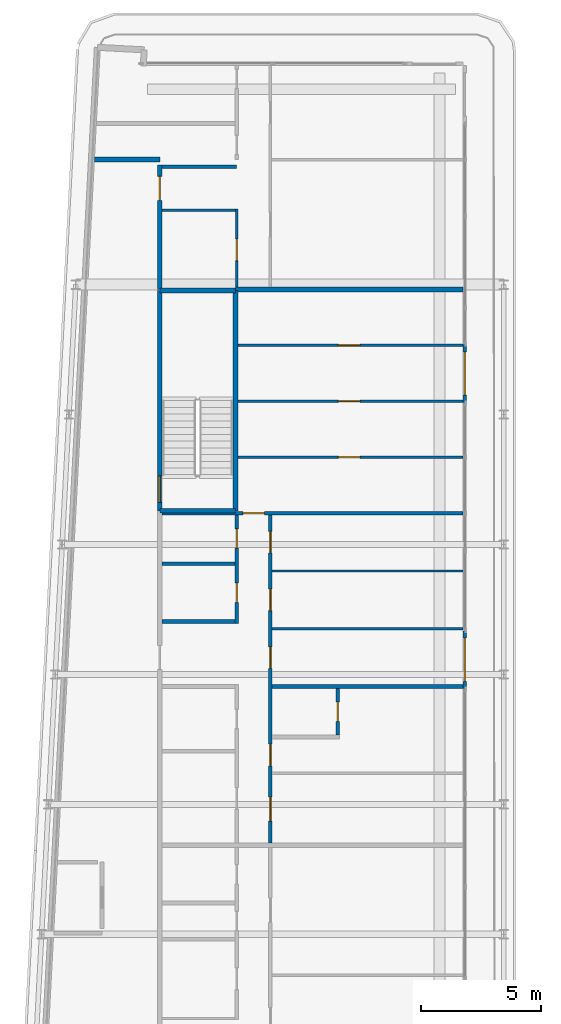
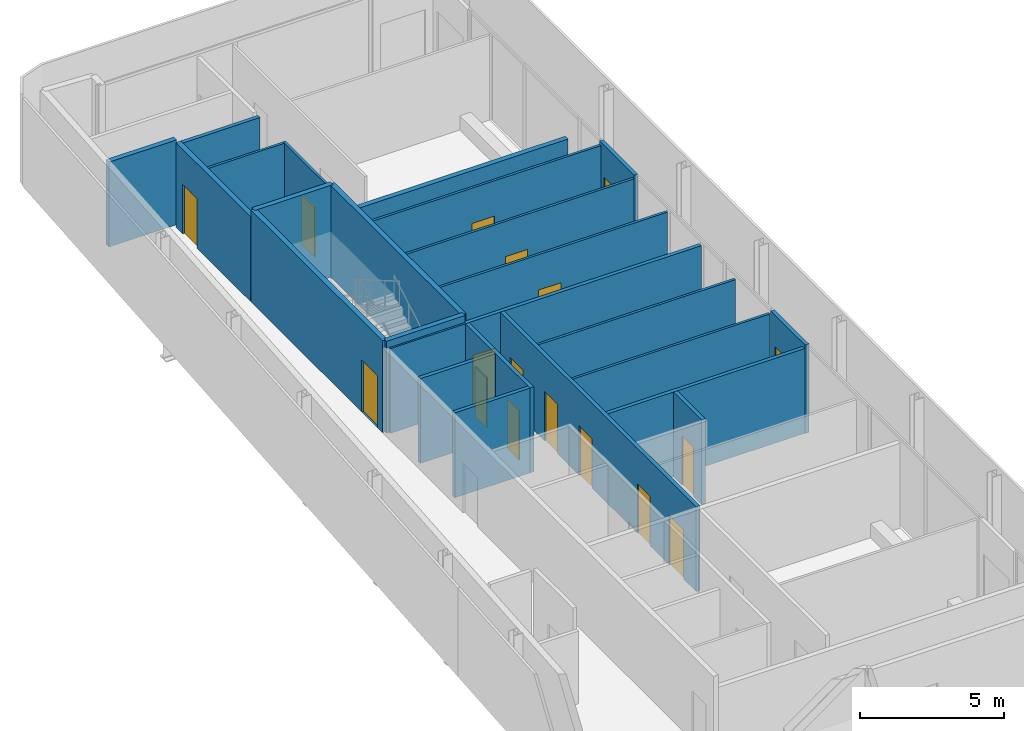
# One storey, part 11 of 18: 24 walls, 17 doors, 17 openings.
"""IFC4 building model written with IfcOpenShell, lengths in metres."""

from ifc_helpers import new_model, si_unit, direction, frame, frame_2d, origin, place, context, subcontext, project, spatial, rectangle, extrude, source, transform, mapped, material, layer, layer_set, type_object, element, fill, save


model = new_model("IFC4")

# Units and contexts
model_context = context("Model", 3, precision=1e-05, world=origin(), true_north=direction((0.0, 1.0)))
body_context = subcontext(model_context, "Body", "Model", "MODEL_VIEW")
ifc_project = project(units=[si_unit("LENGTHUNIT", "METRE"), si_unit("AREAUNIT", "SQUARE_METRE"), si_unit("VOLUMEUNIT", "CUBIC_METRE"), si_unit("PLANEANGLEUNIT", "RADIAN"), si_unit("MASSUNIT", "GRAM", prefix="KILO")], contexts=[model_context])

# Site, building, storey
site_placement = place(None, origin())
site = spatial("IfcSite", under=ifc_project, at=site_placement, CompositionType="ELEMENT")
building_placement = place(site_placement, origin())
building = spatial("IfcBuilding", under=site, at=building_placement, Name="Kheshtan School and Residences Tower", CompositionType="ELEMENT")
storey_placement = place(building_placement, frame((0.0, 0.0, 365.60009765625)))
storey = spatial("IfcBuildingStorey", under=building, at=storey_placement, Name="L86", CompositionType="ELEMENT", Elevation=365.60009765625)

# Wall
ifc_material_1 = material(Name="Gypsum board on steel studs with fire boards", Category="steel")
ifc_layer_1 = layer(ifc_material_1, 0.199951171875)
ifc_layer_set_1 = layer_set([ifc_layer_1], Name="Corridor wall 200")
wall_type_1 = type_object("IfcWallType", Name="Corridor wall 200", PredefinedType="PARTITIONING", material=ifc_layer_set_1)
wall_1_placement = place(storey_placement, frame((30.584716796875, 94.0, 0.0), z_axis=(0.0, 0.0, 1.0), x_axis=(1.0, 0.0, 0.0)))
element("IfcWall", 1, at=wall_1_placement, inside=storey, type_object=wall_type_1, Name="Partition L86-002", PredefinedType="PARTITIONING", context=body_context, shape_type="SweptSolid", body=[
    extrude(rectangle(XDim=2.71533203125, YDim=0.199951171875, at=frame_2d((1.357666015625, 0.0))), origin(), (0.0, 0.0, 1.0), 3.599853515625),
])

# Wall, opening, door
wall_2_placement = place(storey_placement, frame((33.300048828125, 88.60009765625, 0.0), z_axis=(0.0, 0.0, 1.0), x_axis=(0.0, 1.0, 0.0)))
wall_2 = element("IfcWall", 2, at=wall_2_placement, inside=storey, type_object=wall_type_1, Name="Partition L86-004", PredefinedType="PARTITIONING", context=body_context, shape_type="SweptSolid", body=[
    extrude(rectangle(XDim=5.1748046875, YDim=0.199951171875, at=frame_2d((2.58740234375, 0.0))), origin(), (0.0, 0.0, 1.0), 3.599853515625),
])
opening_1_placement = place(wall_2_placement, frame((3.699951171875, 0.0, 0.0)))
opening_1 = element("IfcOpeningElement", 3, at=opening_1_placement, cuts=wall_2, Name="Opening D85-024", PredefinedType="OPENING", context=body_context, shape_type="SweptSolid", body=[
    extrude(rectangle(XDim=1.0, YDim=2.10009765625, at=frame_2d((0.5, 1.050048828125))), frame((0.0, 0.10986328125, 0.0), z_axis=(0.0, -1.0, 0.0), x_axis=(1.0, 0.0, 0.0)), (0.0, 0.0, 1.0), 0.219970703125),
])
ifc_material_2 = material(Name="Steel-framed fire-resisting door leaf", Category="steel")
door_type_1 = type_object("IfcDoorType", Name="Fire door FD30S 1000 x 2100", OperationType="SINGLE_SWING_LEFT", PredefinedType="DOOR", material=ifc_material_2)
shared_shape_1 = source(origin(), body_context, "Body", "SweptSolid", [
    extrude(rectangle(XDim=1.0, YDim=2.10009765625, at=frame_2d((0.5, 1.050048828125))), frame((0.0, 0.02490234375, 0.0), z_axis=(0.0, -1.0, 0.0), x_axis=(1.0, 0.0, 0.0)), (0.0, 0.0, 1.0), 0.050048828125),
])
door_1_placement = place(opening_1_placement, origin())
door_1 = element("IfcDoor", 4, at=door_1_placement, inside=storey, type_object=door_type_1, Name="Door D85-024", OperationType="SINGLE_SWING_RIGHT", OverallHeight=2.10009765625, OverallWidth=1.0, PredefinedType="DOOR", context=body_context, shape_type="MappedRepresentation", body=[
    mapped(shared_shape_1, transform((0.0, 0.0, 0.0), x_axis=(1.0, 0.0, 0.0), y_axis=(0.0, 1.0, 0.0), z_axis=(0.0, 0.0, 1.0), scale=1.0)),
])
fill(opening_1, door_1)

ifc_material_3 = material(Name="Aluminium frame wall with insulated infill", Category="aluminium")
ifc_layer_2 = layer(ifc_material_3, 0.14990234375)
ifc_layer_set_2 = layer_set([ifc_layer_2], Name="Glazing frame wall 150")
wall_type_2 = type_object("IfcWallType", Name="Glazing frame wall 150", PredefinedType="SOLIDWALL", material=ifc_layer_set_2)
wall_3_placement = place(storey_placement, frame((45.97509765625, 86.305908203125, 0.0), z_axis=(0.0, 0.0, 1.0), x_axis=(0.0, -1.0, 0.0)))
wall_3 = element("IfcWall", 5, at=wall_3_placement, inside=storey, type_object=wall_type_2, Name="Balcony door wall L86 8.2", PredefinedType="SOLIDWALL", context=body_context, shape_type="SweptSolid", body=[
    extrude(rectangle(XDim=2.39990234375, YDim=0.14990234375, at=frame_2d((1.199951171875, 0.0))), origin(), (0.0, 0.0, 1.0), 3.75),
])
opening_2_placement = place(wall_3_placement, frame((0.300048828125, 0.0, 0.0)))
opening_2 = element("IfcOpeningElement", 6, at=opening_2_placement, cuts=wall_3, Name="Opening BD", PredefinedType="OPENING", context=body_context, shape_type="SweptSolid", body=[
    extrude(rectangle(XDim=1.800048828125, YDim=2.39990234375, at=frame_2d((0.89990234375, 1.199951171875))), frame((0.0, 0.0849609375, 0.0), z_axis=(0.0, -1.0, 0.0), x_axis=(1.0, 0.0, 0.0)), (0.0, 0.0, 1.0), 0.169921875),
])
ifc_material_4 = material(Name="Clear low-e glass in thermally broken aluminium frame", Category="aluminium")
door_type_2 = type_object("IfcDoorType", Name="Balcony sliding door", OperationType="SLIDING_TO_LEFT", PredefinedType="DOOR", material=ifc_material_4)
shared_shape_2 = source(origin(), body_context, "Body", "SweptSolid", [
    extrude(rectangle(XDim=1.800048828125, YDim=2.39990234375, at=frame_2d((0.89990234375, 1.199951171875))), frame((0.0, 0.02490234375, 0.0), z_axis=(0.0, -1.0, 0.0), x_axis=(1.0, 0.0, 0.0)), (0.0, 0.0, 1.0), 0.050048828125),
])
door_2_placement = place(opening_2_placement, origin())
door_2 = element("IfcDoor", 7, at=door_2_placement, inside=storey, type_object=door_type_2, Name="Balcony door L86 8.2", OperationType="SLIDING_TO_LEFT", OverallHeight=2.39990234375, OverallWidth=1.800048828125, PredefinedType="DOOR", context=body_context, shape_type="MappedRepresentation", body=[
    mapped(shared_shape_2, transform((0.0, 0.0, 0.0), x_axis=(1.0, 0.0, 0.0), y_axis=(0.0, 1.0, 0.0), z_axis=(0.0, 0.0, 1.0), scale=1.0)),
])
fill(opening_2, door_2)

wall_4_placement = place(storey_placement, frame((45.97509765625, 74.412109375, 0.0), z_axis=(0.0, 0.0, 1.0), x_axis=(0.0, -1.0, 0.0)))
wall_4 = element("IfcWall", 8, at=wall_4_placement, inside=storey, type_object=wall_type_2, Name="Balcony door wall L86 8.3", PredefinedType="SOLIDWALL", context=body_context, shape_type="SweptSolid", body=[
    extrude(rectangle(XDim=2.400146484375, YDim=0.14990234375, at=frame_2d((1.2001953125, 0.0))), origin(), (0.0, 0.0, 1.0), 3.75),
])
opening_3_placement = place(wall_4_placement, frame((0.300048828125, 0.0, 0.0)))
opening_3 = element("IfcOpeningElement", 9, at=opening_3_placement, cuts=wall_4, Name="Opening BD", PredefinedType="OPENING", context=body_context, shape_type="SweptSolid", body=[
    extrude(rectangle(XDim=1.800048828125, YDim=2.39990234375, at=frame_2d((0.89990234375, 1.199951171875))), frame((0.0, 0.0849609375, 0.0), z_axis=(0.0, -1.0, 0.0), x_axis=(1.0, 0.0, 0.0)), (0.0, 0.0, 1.0), 0.169921875),
])
door_3_placement = place(opening_3_placement, origin())
door_3 = element("IfcDoor", 10, at=door_3_placement, inside=storey, type_object=door_type_2, Name="Balcony door L86 8.3", OperationType="SLIDING_TO_LEFT", OverallHeight=2.39990234375, OverallWidth=1.800048828125, PredefinedType="DOOR", context=body_context, shape_type="MappedRepresentation", body=[
    mapped(shared_shape_2, transform((0.0, 0.0, 0.0), x_axis=(1.0, 0.0, 0.0), y_axis=(0.0, 1.0, 0.0), z_axis=(0.0, 0.0, 1.0), scale=1.0)),
])
fill(opening_3, door_3)

# Wall
ifc_material_5 = material(Name="Gypsum board on steel studs", Category="steel")
ifc_layer_3 = layer(ifc_material_5, 0.10009765625)
ifc_layer_set_3 = layer_set([ifc_layer_3], Name="Gypsum partition 100")
wall_type_3 = type_object("IfcWallType", Name="Gypsum partition 100", PredefinedType="PARTITIONING", material=ifc_layer_set_3)
wall_5_placement = place(storey_placement, frame((33.39990234375, 91.89990234375, 0.0), z_axis=(0.0, 0.0, 1.0), x_axis=(1.0, 0.0, 0.0)))
element("IfcWall", 11, at=wall_5_placement, inside=storey, type_object=wall_type_3, Name="Partition L86-015", PredefinedType="PARTITIONING", context=body_context, shape_type="SweptSolid", body=[
    extrude(rectangle(XDim=3.050048828125, YDim=0.10009765625, at=frame_2d((1.52490234375, 0.0))), origin(), (0.0, 0.0, 1.0), 3.599853515625),
])

# Wall, opening, door
wall_6_placement = place(storey_placement, frame((36.5, 88.699951171875, 0.0), z_axis=(0.0, 0.0, 1.0), x_axis=(0.0, 1.0, 0.0)))
wall_6 = element("IfcWall", 12, at=wall_6_placement, inside=storey, type_object=wall_type_3, Name="Partition L86-022", PredefinedType="PARTITIONING", context=body_context, shape_type="SweptSolid", body=[
    extrude(rectangle(XDim=3.25, YDim=0.10009765625, at=frame_2d((1.625, 0.0))), origin(), (0.0, 0.0, 1.0), 3.599853515625),
])
opening_4_placement = place(wall_6_placement, frame((1.10009765625, 0.0, 0.0)))
opening_4 = element("IfcOpeningElement", 13, at=opening_4_placement, cuts=wall_6, Name="Opening D85-025", PredefinedType="OPENING", context=body_context, shape_type="SweptSolid", body=[
    extrude(rectangle(XDim=0.89990234375, YDim=2.10009765625, at=frame_2d((0.449951171875, 1.050048828125))), frame((0.0, 0.06005859375, 0.0), z_axis=(0.0, -1.0, 0.0), x_axis=(1.0, 0.0, 0.0)), (0.0, 0.0, 1.0), 0.1201171875),
])
ifc_material_6 = material(Name="Veneered timber door leaf", Category="wood")
door_type_3 = type_object("IfcDoorType", Name="Door 900 x 2100", OperationType="SINGLE_SWING_LEFT", PredefinedType="DOOR", material=ifc_material_6)
shared_shape_3 = source(origin(), body_context, "Body", "SweptSolid", [
    extrude(rectangle(XDim=0.89990234375, YDim=2.10009765625, at=frame_2d((0.449951171875, 1.050048828125))), frame((0.0, 0.02490234375, 0.0), z_axis=(0.0, -1.0, 0.0), x_axis=(1.0, 0.0, 0.0)), (0.0, 0.0, 1.0), 0.050048828125),
])
door_4_placement = place(opening_4_placement, origin())
door_4 = element("IfcDoor", 14, at=door_4_placement, inside=storey, type_object=door_type_3, Name="Door D85-025", OperationType="SINGLE_SWING_LEFT", OverallHeight=2.10009765625, OverallWidth=0.89990234375, PredefinedType="DOOR", context=body_context, shape_type="MappedRepresentation", body=[
    mapped(shared_shape_3, transform((0.0, 0.0, 0.0), x_axis=(1.0, 0.0, 0.0), y_axis=(0.0, 1.0, 0.0), z_axis=(0.0, 0.0, 1.0), scale=1.0)),
])
fill(opening_4, door_4)

wall_7_placement = place(storey_placement, frame((36.549072265625, 81.625, 0.0), z_axis=(0.0, 0.0, 1.0), x_axis=(1.0, 0.0, 0.0)))
wall_7 = element("IfcWall", 15, at=wall_7_placement, inside=storey, type_object=wall_type_3, Name="Partition L86-024", PredefinedType="PARTITIONING", context=body_context, shape_type="SweptSolid", body=[
    extrude(rectangle(XDim=9.350830078125, YDim=0.10009765625, at=frame_2d((4.67529296875, 0.0))), origin(), (0.0, 0.0, 1.0), 3.599853515625),
])
opening_5_placement = place(wall_7_placement, frame((4.176025390625, 0.0, 0.0)))
opening_5 = element("IfcOpeningElement", 16, at=opening_5_placement, cuts=wall_7, Name="Opening D85-019", PredefinedType="OPENING", context=body_context, shape_type="SweptSolid", body=[
    extrude(rectangle(XDim=0.89990234375, YDim=2.10009765625, at=frame_2d((0.449951171875, 1.050048828125))), frame((0.0, 0.06005859375, 0.0), z_axis=(0.0, -1.0, 0.0), x_axis=(1.0, 0.0, 0.0)), (0.0, 0.0, 1.0), 0.1201171875),
])
door_5_placement = place(opening_5_placement, origin())
door_5 = element("IfcDoor", 17, at=door_5_placement, inside=storey, type_object=door_type_3, Name="Door D85-019", OperationType="SINGLE_SWING_RIGHT", OverallHeight=2.10009765625, OverallWidth=0.89990234375, PredefinedType="DOOR", context=body_context, shape_type="MappedRepresentation", body=[
    mapped(shared_shape_3, transform((0.0, 0.0, 0.0), x_axis=(1.0, 0.0, 0.0), y_axis=(0.0, 1.0, 0.0), z_axis=(0.0, 0.0, 1.0), scale=1.0)),
])
fill(opening_5, door_5)

wall_8_placement = place(storey_placement, frame((36.549072265625, 83.949951171875, 0.0), z_axis=(0.0, 0.0, 1.0), x_axis=(1.0, 0.0, 0.0)))
wall_8 = element("IfcWall", 18, at=wall_8_placement, inside=storey, type_object=wall_type_3, Name="Partition L86-025", PredefinedType="PARTITIONING", context=body_context, shape_type="SweptSolid", body=[
    extrude(rectangle(XDim=9.350830078125, YDim=0.10009765625, at=frame_2d((4.67529296875, 0.0))), origin(), (0.0, 0.0, 1.0), 3.599853515625),
])
opening_6_placement = place(wall_8_placement, frame((4.176025390625, 0.0, 0.0)))
opening_6 = element("IfcOpeningElement", 19, at=opening_6_placement, cuts=wall_8, Name="Opening D85-020", PredefinedType="OPENING", context=body_context, shape_type="SweptSolid", body=[
    extrude(rectangle(XDim=0.89990234375, YDim=2.10009765625, at=frame_2d((0.449951171875, 1.050048828125))), frame((0.0, 0.06005859375, 0.0), z_axis=(0.0, -1.0, 0.0), x_axis=(1.0, 0.0, 0.0)), (0.0, 0.0, 1.0), 0.1201171875),
])
door_6_placement = place(opening_6_placement, origin())
door_6 = element("IfcDoor", 20, at=door_6_placement, inside=storey, type_object=door_type_3, Name="Door D85-020", OperationType="SINGLE_SWING_RIGHT", OverallHeight=2.10009765625, OverallWidth=0.89990234375, PredefinedType="DOOR", context=body_context, shape_type="MappedRepresentation", body=[
    mapped(shared_shape_3, transform((0.0, 0.0, 0.0), x_axis=(1.0, 0.0, 0.0), y_axis=(0.0, 1.0, 0.0), z_axis=(0.0, 0.0, 1.0), scale=1.0)),
])
fill(opening_6, door_6)

wall_9_placement = place(storey_placement, frame((36.549072265625, 86.27490234375, 0.0), z_axis=(0.0, 0.0, 1.0), x_axis=(1.0, 0.0, 0.0)))
wall_9 = element("IfcWall", 21, at=wall_9_placement, inside=storey, type_object=wall_type_3, Name="Partition L86-026", PredefinedType="PARTITIONING", context=body_context, shape_type="SweptSolid", body=[
    extrude(rectangle(XDim=9.350830078125, YDim=0.10009765625, at=frame_2d((4.67529296875, 0.0))), origin(), (0.0, 0.0, 1.0), 3.599853515625),
])
opening_7_placement = place(wall_9_placement, frame((4.176025390625, 0.0, 0.0)))
opening_7 = element("IfcOpeningElement", 22, at=opening_7_placement, cuts=wall_9, Name="Opening D85-021", PredefinedType="OPENING", context=body_context, shape_type="SweptSolid", body=[
    extrude(rectangle(XDim=0.89990234375, YDim=2.10009765625, at=frame_2d((0.449951171875, 1.050048828125))), frame((0.0, 0.06005859375, 0.0), z_axis=(0.0, -1.0, 0.0), x_axis=(1.0, 0.0, 0.0)), (0.0, 0.0, 1.0), 0.1201171875),
])
door_7_placement = place(opening_7_placement, origin())
door_7 = element("IfcDoor", 23, at=door_7_placement, inside=storey, type_object=door_type_3, Name="Door D85-021", OperationType="SINGLE_SWING_RIGHT", OverallHeight=2.10009765625, OverallWidth=0.89990234375, PredefinedType="DOOR", context=body_context, shape_type="MappedRepresentation", body=[
    mapped(shared_shape_3, transform((0.0, 0.0, 0.0), x_axis=(1.0, 0.0, 0.0), y_axis=(0.0, 1.0, 0.0), z_axis=(0.0, 0.0, 1.0), scale=1.0)),
])
fill(opening_7, door_7)

# Walls
for number, where, z_axis, x_axis, name in (
    (24, (37.97509765625, 74.5, 0.0), (0.0, 0.0, 1.0), (1.0, 0.0, 0.0), "Partition L86-035"),
    (25, (37.97509765625, 76.89990234375, 0.0), (0.0, 0.0, 1.0), (1.0, 0.0, 0.0), "Partition L86-036"),
):
    element("IfcWall", number, at=place(storey_placement, frame(where, z_axis=z_axis, x_axis=x_axis)), inside=storey, type_object=wall_type_3, Name=name, PredefinedType="PARTITIONING", context=body_context, shape_type="SweptSolid", body=[
        extrude(rectangle(XDim=7.9248046875, YDim=0.10009765625, at=frame_2d((3.96240234375, 0.0))), origin(), (0.0, 0.0, 1.0), 3.599853515625),
    ])
ifc_material_7 = material(Name="Concrete C40/50", Category="concrete")
ifc_layer_4 = layer(ifc_material_7, 0.199951171875)
ifc_layer_set_4 = layer_set([ifc_layer_4], Name="Stair enclosure wall 200 Concrete C40/50")
wall_type_4 = type_object("IfcWallType", Name="Stair enclosure wall 200 Concrete C40/50", PredefinedType="SHEAR", material=ifc_layer_set_4)
for number, where, z_axis, x_axis, name in (
    (26, (33.300048828125, 79.39990234375, 0.0), (0.0, 0.0, 1.0), (1.0, 0.0, 0.0), "Stair enclosure wall ST3"),
    (27, (33.300048828125, 88.56005859375, 0.0), (0.0, 0.0, 1.0), (1.0, 0.0, 0.0), "Stair enclosure wall ST3"),
):
    element("IfcWall", number, at=place(storey_placement, frame(where, z_axis=z_axis, x_axis=x_axis)), inside=storey, type_object=wall_type_4, Name=name, PredefinedType="SHEAR", context=body_context, shape_type="SweptSolid", body=[
        extrude(rectangle(XDim=3.14990234375, YDim=0.199951171875, at=frame_2d((1.574951171875, 0.0))), origin(), (0.0, 0.0, 1.0), 3.89990234375),
    ])

# Wall, opening, door
wall_10_placement = place(storey_placement, frame((33.300048828125, 79.39990234375, 0.0), z_axis=(0.0, 0.0, 1.0), x_axis=(0.0, 1.0, 0.0)))
wall_10 = element("IfcWall", 28, at=wall_10_placement, inside=storey, type_object=wall_type_4, Name="Stair enclosure wall ST3", PredefinedType="SHEAR", context=body_context, shape_type="SweptSolid", body=[
    extrude(rectangle(XDim=9.16015625, YDim=0.199951171875, at=frame_2d((4.580078125, 0.0))), origin(), (0.0, 0.0, 1.0), 3.89990234375),
])
opening_8_placement = place(wall_10_placement, frame((0.35009765625, 0.0, 0.0)))
opening_8 = element("IfcOpeningElement", 29, at=opening_8_placement, cuts=wall_10, Name="Opening ST3D", PredefinedType="OPENING", context=body_context, shape_type="SweptSolid", body=[
    extrude(rectangle(XDim=1.10009765625, YDim=2.199951171875, at=frame_2d((0.550048828125, 1.10009765625))), frame((0.0, 0.10986328125, 0.0), z_axis=(0.0, -1.0, 0.0), x_axis=(1.0, 0.0, 0.0)), (0.0, 0.0, 1.0), 0.219970703125),
])
ifc_material_8 = material(Name="Steel door leaf, galvanised", Category="steel")
door_type_4 = type_object("IfcDoorType", Name="Stair door 1100 steel 90 min", OperationType="SINGLE_SWING_LEFT", PredefinedType="DOOR", material=ifc_material_8)
shared_shape_4 = source(origin(), body_context, "Body", "SweptSolid", [
    extrude(rectangle(XDim=1.10009765625, YDim=2.199951171875, at=frame_2d((0.550048828125, 1.10009765625))), frame((0.0, 0.02490234375, 0.0), z_axis=(0.0, -1.0, 0.0), x_axis=(1.0, 0.0, 0.0)), (0.0, 0.0, 1.0), 0.050048828125),
])
door_8_placement = place(opening_8_placement, origin())
door_8 = element("IfcDoor", 30, at=door_8_placement, inside=storey, type_object=door_type_4, Name="Stair ST3 door", OperationType="SINGLE_SWING_RIGHT", OverallHeight=2.199951171875, OverallWidth=1.10009765625, PredefinedType="DOOR", context=body_context, shape_type="MappedRepresentation", body=[
    mapped(shared_shape_4, transform((0.0, 0.0, 0.0), x_axis=(1.0, 0.0, 0.0), y_axis=(0.0, 1.0, 0.0), z_axis=(0.0, 0.0, 1.0), scale=1.0)),
])
fill(opening_8, door_8)

# Walls
wall_11_placement = place(storey_placement, frame((36.449951171875, 79.39990234375, 0.0), z_axis=(0.0, 0.0, 1.0), x_axis=(0.0, 1.0, 0.0)))
element("IfcWall", 31, at=wall_11_placement, inside=storey, type_object=wall_type_4, Name="Stair enclosure wall ST3", PredefinedType="SHEAR", context=body_context, shape_type="SweptSolid", body=[
    extrude(rectangle(XDim=9.16015625, YDim=0.199951171875, at=frame_2d((4.580078125, 0.0))), origin(), (0.0, 0.0, 1.0), 3.89990234375),
])
ifc_material_9 = material(Name="Twin gypsum board on steel studs with mineral wool", Category="steel")
ifc_layer_5 = layer(ifc_material_9, 0.199951171875)
ifc_layer_set_5 = layer_set([ifc_layer_5], Name="Unit demising wall 200")
wall_type_5 = type_object("IfcWallType", Name="Unit demising wall 200", PredefinedType="PARTITIONING", material=ifc_layer_set_5)
wall_12_placement = place(storey_placement, frame((36.449951171875, 88.60009765625, 0.0), z_axis=(0.0, 0.0, 1.0), x_axis=(1.0, 0.0, 0.0)))
element("IfcWall", 32, at=wall_12_placement, inside=storey, type_object=wall_type_5, Name="Partition L86-018", PredefinedType="PARTITIONING", context=body_context, shape_type="SweptSolid", body=[
    extrude(rectangle(XDim=9.449951171875, YDim=0.199951171875, at=frame_2d((4.72509765625, 0.0))), origin(), (0.0, 0.0, 1.0), 2.5),
])
ifc_material_10 = material(Name="Moisture-resistant gypsum board on steel studs", Category="steel")
ifc_layer_6 = layer(ifc_material_10, 0.14990234375)
ifc_layer_set_6 = layer_set([ifc_layer_6], Name="Wet-room partition 150")
wall_type_6 = type_object("IfcWallType", Name="Wet-room partition 150", PredefinedType="PARTITIONING", material=ifc_layer_set_6)
for number, where, z_axis, x_axis, name in (
    (33, (33.39990234375, 74.800048828125, 0.0), (0.0, 0.0, 1.0), (1.0, 0.0, 0.0), "Partition L86-012"),
    (34, (33.39990234375, 77.199951171875, 0.0), (0.0, 0.0, 1.0), (1.0, 0.0, 0.0), "Partition L86-013"),
):
    element("IfcWall", number, at=place(storey_placement, frame(where, z_axis=z_axis, x_axis=x_axis)), inside=storey, type_object=wall_type_6, Name=name, PredefinedType="PARTITIONING", context=body_context, shape_type="SweptSolid", body=[
        extrude(rectangle(XDim=3.025146484375, YDim=0.14990234375, at=frame_2d((1.5126953125, 0.0))), origin(), (0.0, 0.0, 1.0), 3.599853515625),
    ])

# Wall, opening, door
wall_13_placement = place(storey_placement, frame((33.39990234375, 79.300048828125, 0.0), z_axis=(0.0, 0.0, 1.0), x_axis=(1.0, 0.0, 0.0)))
wall_13 = element("IfcWall", 35, at=wall_13_placement, inside=storey, type_object=wall_type_6, Name="Partition L86-014", PredefinedType="PARTITIONING", context=body_context, shape_type="SweptSolid", body=[
    extrude(rectangle(XDim=12.5, YDim=0.14990234375, at=frame_2d((6.25, 0.0))), origin(), (0.0, 0.0, 1.0), 3.599853515625),
])
opening_9_placement = place(wall_13_placement, frame((3.35009765625, 0.0, 0.0)))
opening_9 = element("IfcOpeningElement", 36, at=opening_9_placement, cuts=wall_13, Name="Opening D85-018", PredefinedType="OPENING", context=body_context, shape_type="SweptSolid", body=[
    extrude(rectangle(XDim=0.89990234375, YDim=2.10009765625, at=frame_2d((0.449951171875, 1.050048828125))), frame((0.0, 0.0849609375, 0.0), z_axis=(0.0, -1.0, 0.0), x_axis=(1.0, 0.0, 0.0)), (0.0, 0.0, 1.0), 0.169921875),
])
door_9_placement = place(opening_9_placement, origin())
door_9 = element("IfcDoor", 37, at=door_9_placement, inside=storey, type_object=door_type_3, Name="Door D85-018", OperationType="SINGLE_SWING_LEFT", OverallHeight=2.10009765625, OverallWidth=0.89990234375, PredefinedType="DOOR", context=body_context, shape_type="MappedRepresentation", body=[
    mapped(shared_shape_3, transform((0.0, 0.0, 0.0), x_axis=(1.0, 0.0, 0.0), y_axis=(0.0, 1.0, 0.0), z_axis=(0.0, 0.0, 1.0), scale=1.0)),
])
fill(opening_9, door_9)

# Wall
wall_14_placement = place(storey_placement, frame((33.39990234375, 93.699951171875, 0.0), z_axis=(0.0, 0.0, 1.0), x_axis=(1.0, 0.0, 0.0)))
element("IfcWall", 38, at=wall_14_placement, inside=storey, type_object=wall_type_6, Name="Partition L86-016", PredefinedType="PARTITIONING", context=body_context, shape_type="SweptSolid", body=[
    extrude(rectangle(XDim=3.10009765625, YDim=0.14990234375, at=frame_2d((1.550048828125, 0.0))), origin(), (0.0, 0.0, 1.0), 3.599853515625),
])

# Wall, openings, doors
wall_15_placement = place(storey_placement, frame((36.5, 74.72509765625, 0.0), z_axis=(0.0, 0.0, 1.0), x_axis=(0.0, 1.0, 0.0)))
wall_15 = element("IfcWall", 39, at=wall_15_placement, inside=storey, type_object=wall_type_6, Name="Partition L86-021", PredefinedType="PARTITIONING", context=body_context, shape_type="SweptSolid", body=[
    extrude(rectangle(XDim=4.5, YDim=0.14990234375, at=frame_2d((2.25, 0.0))), origin(), (0.0, 0.0, 1.0), 3.599853515625),
])
opening_10_placement = place(wall_15_placement, frame((0.875, 0.0, 0.0)))
opening_10 = element("IfcOpeningElement", 40, at=opening_10_placement, cuts=wall_15, Name="Opening D85-008", PredefinedType="OPENING", context=body_context, shape_type="SweptSolid", body=[
    extrude(rectangle(XDim=0.800048828125, YDim=2.10009765625, at=frame_2d((0.39990234375, 1.050048828125))), frame((0.0, 0.0849609375, 0.0), z_axis=(0.0, -1.0, 0.0), x_axis=(1.0, 0.0, 0.0)), (0.0, 0.0, 1.0), 0.169921875),
])
opening_11_placement = place(wall_15_placement, frame((3.125, 0.0, 0.0)))
opening_11 = element("IfcOpeningElement", 41, at=opening_11_placement, cuts=wall_15, Name="Opening D85-017", PredefinedType="OPENING", context=body_context, shape_type="SweptSolid", body=[
    extrude(rectangle(XDim=0.800048828125, YDim=2.10009765625, at=frame_2d((0.39990234375, 1.050048828125))), frame((0.0, 0.0849609375, 0.0), z_axis=(0.0, -1.0, 0.0), x_axis=(1.0, 0.0, 0.0)), (0.0, 0.0, 1.0), 0.169921875),
])
door_type_5 = type_object("IfcDoorType", Name="Door 800 x 2100", OperationType="SINGLE_SWING_LEFT", PredefinedType="DOOR", material=ifc_material_6)
shared_shape_5 = source(origin(), body_context, "Body", "SweptSolid", [
    extrude(rectangle(XDim=0.800048828125, YDim=2.10009765625, at=frame_2d((0.39990234375, 1.050048828125))), frame((0.0, 0.02490234375, 0.0), z_axis=(0.0, -1.0, 0.0), x_axis=(1.0, 0.0, 0.0)), (0.0, 0.0, 1.0), 0.050048828125),
])
door_10_placement = place(opening_10_placement, origin())
door_10 = element("IfcDoor", 42, at=door_10_placement, inside=storey, type_object=door_type_5, Name="Door D85-008", OperationType="SINGLE_SWING_LEFT", OverallHeight=2.10009765625, OverallWidth=0.800048828125, PredefinedType="DOOR", context=body_context, shape_type="MappedRepresentation", body=[
    mapped(shared_shape_5, transform((0.0, 0.0, 0.0), x_axis=(1.0, 0.0, 0.0), y_axis=(0.0, 1.0, 0.0), z_axis=(0.0, 0.0, 1.0), scale=1.0)),
])
fill(opening_10, door_10)
door_11_placement = place(opening_11_placement, origin())
door_11 = element("IfcDoor", 43, at=door_11_placement, inside=storey, type_object=door_type_5, Name="Door D85-017", OperationType="SINGLE_SWING_LEFT", OverallHeight=2.10009765625, OverallWidth=0.800048828125, PredefinedType="DOOR", context=body_context, shape_type="MappedRepresentation", body=[
    mapped(shared_shape_5, transform((0.0, 0.0, 0.0), x_axis=(1.0, 0.0, 0.0), y_axis=(0.0, 1.0, 0.0), z_axis=(0.0, 0.0, 1.0), scale=1.0)),
])
fill(opening_11, door_11)

wall_16_placement = place(storey_placement, frame((37.89990234375, 65.60009765625, 0.0), z_axis=(0.0, 0.0, 1.0), x_axis=(0.0, 1.0, 0.0)))
wall_16 = element("IfcWall", 44, at=wall_16_placement, inside=storey, type_object=wall_type_6, Name="Partition L86-028", PredefinedType="PARTITIONING", context=body_context, shape_type="SweptSolid", body=[
    extrude(rectangle(XDim=13.625, YDim=0.14990234375, at=frame_2d((6.8125, 0.0))), origin(), (0.0, 0.0, 1.0), 3.599853515625),
])
opening_12_placement = place(wall_16_placement, frame((7.25, 0.0, 0.0)))
opening_12 = element("IfcOpeningElement", 45, at=opening_12_placement, cuts=wall_16, Name="Opening D85-009", PredefinedType="OPENING", context=body_context, shape_type="SweptSolid", body=[
    extrude(rectangle(XDim=0.89990234375, YDim=2.10009765625, at=frame_2d((0.449951171875, 1.050048828125))), frame((0.0, 0.0849609375, 0.0), z_axis=(0.0, -1.0, 0.0), x_axis=(1.0, 0.0, 0.0)), (0.0, 0.0, 1.0), 0.169921875),
])
opening_13_placement = place(wall_16_placement, frame((12.050048828125, 0.0, 0.0)))
opening_13 = element("IfcOpeningElement", 46, at=opening_13_placement, cuts=wall_16, Name="Opening D85-010", PredefinedType="OPENING", context=body_context, shape_type="SweptSolid", body=[
    extrude(rectangle(XDim=0.89990234375, YDim=2.10009765625, at=frame_2d((0.449951171875, 1.050048828125))), frame((0.0, 0.0849609375, 0.0), z_axis=(0.0, -1.0, 0.0), x_axis=(1.0, 0.0, 0.0)), (0.0, 0.0, 1.0), 0.169921875),
])
opening_14_placement = place(wall_16_placement, frame((0.89990234375, 0.0, 0.0)))
opening_14 = element("IfcOpeningElement", 47, at=opening_14_placement, cuts=wall_16, Name="Opening D85-014", PredefinedType="OPENING", context=body_context, shape_type="SweptSolid", body=[
    extrude(rectangle(XDim=1.0, YDim=2.10009765625, at=frame_2d((0.5, 1.050048828125))), frame((0.0, 0.0849609375, 0.0), z_axis=(0.0, -1.0, 0.0), x_axis=(1.0, 0.0, 0.0)), (0.0, 0.0, 1.0), 0.169921875),
])
opening_15_placement = place(wall_16_placement, frame((9.64990234375, 0.0, 0.0)))
opening_15 = element("IfcOpeningElement", 48, at=opening_15_placement, cuts=wall_16, Name="Opening D85-015", PredefinedType="OPENING", context=body_context, shape_type="SweptSolid", body=[
    extrude(rectangle(XDim=0.89990234375, YDim=2.10009765625, at=frame_2d((0.449951171875, 1.050048828125))), frame((0.0, 0.0849609375, 0.0), z_axis=(0.0, -1.0, 0.0), x_axis=(1.0, 0.0, 0.0)), (0.0, 0.0, 1.0), 0.169921875),
])
opening_16_placement = place(wall_16_placement, frame((3.199951171875, 0.0, 0.0)))
opening_16 = element("IfcOpeningElement", 49, at=opening_16_placement, cuts=wall_16, Name="Opening D85-016", PredefinedType="OPENING", context=body_context, shape_type="SweptSolid", body=[
    extrude(rectangle(XDim=0.89990234375, YDim=2.10009765625, at=frame_2d((0.449951171875, 1.050048828125))), frame((0.0, 0.0849609375, 0.0), z_axis=(0.0, -1.0, 0.0), x_axis=(1.0, 0.0, 0.0)), (0.0, 0.0, 1.0), 0.169921875),
])
door_type_6 = type_object("IfcDoorType", Name="Door 1000 x 2100", OperationType="SINGLE_SWING_LEFT", PredefinedType="DOOR", material=ifc_material_6)
shared_shape_6 = source(origin(), body_context, "Body", "SweptSolid", [
    extrude(rectangle(XDim=1.0, YDim=2.10009765625, at=frame_2d((0.5, 1.050048828125))), frame((0.0, 0.02490234375, 0.0), z_axis=(0.0, -1.0, 0.0), x_axis=(1.0, 0.0, 0.0)), (0.0, 0.0, 1.0), 0.050048828125),
])
door_12_placement = place(opening_14_placement, origin())
door_12 = element("IfcDoor", 50, at=door_12_placement, inside=storey, type_object=door_type_6, Name="Door D85-014", OperationType="SINGLE_SWING_RIGHT", OverallHeight=2.10009765625, OverallWidth=1.0, PredefinedType="DOOR", context=body_context, shape_type="MappedRepresentation", body=[
    mapped(shared_shape_6, transform((0.0, 0.0, 0.0), x_axis=(1.0, 0.0, 0.0), y_axis=(0.0, 1.0, 0.0), z_axis=(0.0, 0.0, 1.0), scale=1.0)),
])
fill(opening_14, door_12)
door_13_placement = place(opening_12_placement, origin())
door_13 = element("IfcDoor", 51, at=door_13_placement, inside=storey, type_object=door_type_3, Name="Door D85-009", OperationType="SINGLE_SWING_LEFT", OverallHeight=2.10009765625, OverallWidth=0.89990234375, PredefinedType="DOOR", context=body_context, shape_type="MappedRepresentation", body=[
    mapped(shared_shape_3, transform((0.0, 0.0, 0.0), x_axis=(1.0, 0.0, 0.0), y_axis=(0.0, 1.0, 0.0), z_axis=(0.0, 0.0, 1.0), scale=1.0)),
])
fill(opening_12, door_13)
door_14_placement = place(opening_13_placement, origin())
door_14 = element("IfcDoor", 52, at=door_14_placement, inside=storey, type_object=door_type_3, Name="Door D85-010", OperationType="SINGLE_SWING_LEFT", OverallHeight=2.10009765625, OverallWidth=0.89990234375, PredefinedType="DOOR", context=body_context, shape_type="MappedRepresentation", body=[
    mapped(shared_shape_3, transform((0.0, 0.0, 0.0), x_axis=(1.0, 0.0, 0.0), y_axis=(0.0, 1.0, 0.0), z_axis=(0.0, 0.0, 1.0), scale=1.0)),
])
fill(opening_13, door_14)
door_15_placement = place(opening_15_placement, origin())
door_15 = element("IfcDoor", 53, at=door_15_placement, inside=storey, type_object=door_type_3, Name="Door D85-015", OperationType="SINGLE_SWING_LEFT", OverallHeight=2.10009765625, OverallWidth=0.89990234375, PredefinedType="DOOR", context=body_context, shape_type="MappedRepresentation", body=[
    mapped(shared_shape_3, transform((0.0, 0.0, 0.0), x_axis=(1.0, 0.0, 0.0), y_axis=(0.0, 1.0, 0.0), z_axis=(0.0, 0.0, 1.0), scale=1.0)),
])
fill(opening_15, door_15)
door_16_placement = place(opening_16_placement, origin())
door_16 = element("IfcDoor", 54, at=door_16_placement, inside=storey, type_object=door_type_3, Name="Door D85-016", OperationType="SINGLE_SWING_LEFT", OverallHeight=2.10009765625, OverallWidth=0.89990234375, PredefinedType="DOOR", context=body_context, shape_type="MappedRepresentation", body=[
    mapped(shared_shape_3, transform((0.0, 0.0, 0.0), x_axis=(1.0, 0.0, 0.0), y_axis=(0.0, 1.0, 0.0), z_axis=(0.0, 0.0, 1.0), scale=1.0)),
])
fill(opening_16, door_16)

# Wall
wall_17_placement = place(storey_placement, frame((37.97509765625, 72.10009765625, 0.0), z_axis=(0.0, 0.0, 1.0), x_axis=(1.0, 0.0, 0.0)))
element("IfcWall", 55, at=wall_17_placement, inside=storey, type_object=wall_type_6, Name="Partition L86-034", PredefinedType="PARTITIONING", context=body_context, shape_type="SweptSolid", body=[
    extrude(rectangle(XDim=7.9248046875, YDim=0.14990234375, at=frame_2d((3.96240234375, 0.0))), origin(), (0.0, 0.0, 1.0), 3.599853515625),
])

# Wall, opening, door
wall_18_placement = place(storey_placement, frame((40.699951171875, 70.074951171875, 0.0), z_axis=(0.0, 0.0, 1.0), x_axis=(0.0, 1.0, 0.0)))
wall_18 = element("IfcWall", 56, at=wall_18_placement, inside=storey, type_object=wall_type_6, Name="Partition L86-038", PredefinedType="PARTITIONING", context=body_context, shape_type="SweptSolid", body=[
    extrude(rectangle(XDim=1.949951171875, YDim=0.14990234375, at=frame_2d((0.97509765625, 0.0))), origin(), (0.0, 0.0, 1.0), 3.599853515625),
])
opening_17_placement = place(wall_18_placement, frame((0.574951171875, 0.0, 0.0)))
opening_17 = element("IfcOpeningElement", 57, at=opening_17_placement, cuts=wall_18, Name="Opening D85-011", PredefinedType="OPENING", context=body_context, shape_type="SweptSolid", body=[
    extrude(rectangle(XDim=0.800048828125, YDim=2.10009765625, at=frame_2d((0.39990234375, 1.050048828125))), frame((0.0, 0.0849609375, 0.0), z_axis=(0.0, -1.0, 0.0), x_axis=(1.0, 0.0, 0.0)), (0.0, 0.0, 1.0), 0.169921875),
])
door_17_placement = place(opening_17_placement, origin())
door_17 = element("IfcDoor", 58, at=door_17_placement, inside=storey, type_object=door_type_5, Name="Door D85-011", OperationType="SINGLE_SWING_RIGHT", OverallHeight=2.10009765625, OverallWidth=0.800048828125, PredefinedType="DOOR", context=body_context, shape_type="MappedRepresentation", body=[
    mapped(shared_shape_5, transform((0.0, 0.0, 0.0), x_axis=(1.0, 0.0, 0.0), y_axis=(0.0, 1.0, 0.0), z_axis=(0.0, 0.0, 1.0), scale=1.0)),
])
fill(opening_17, door_17)

save(model, "model.ifc")
